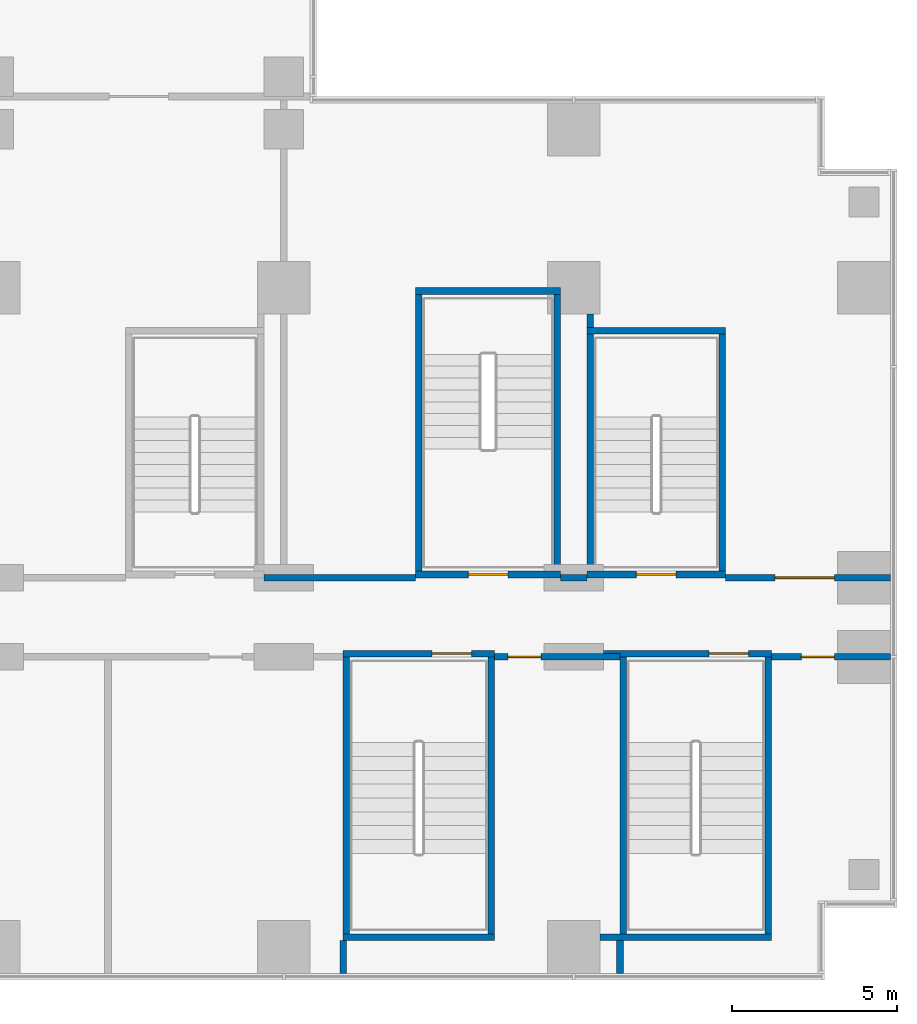
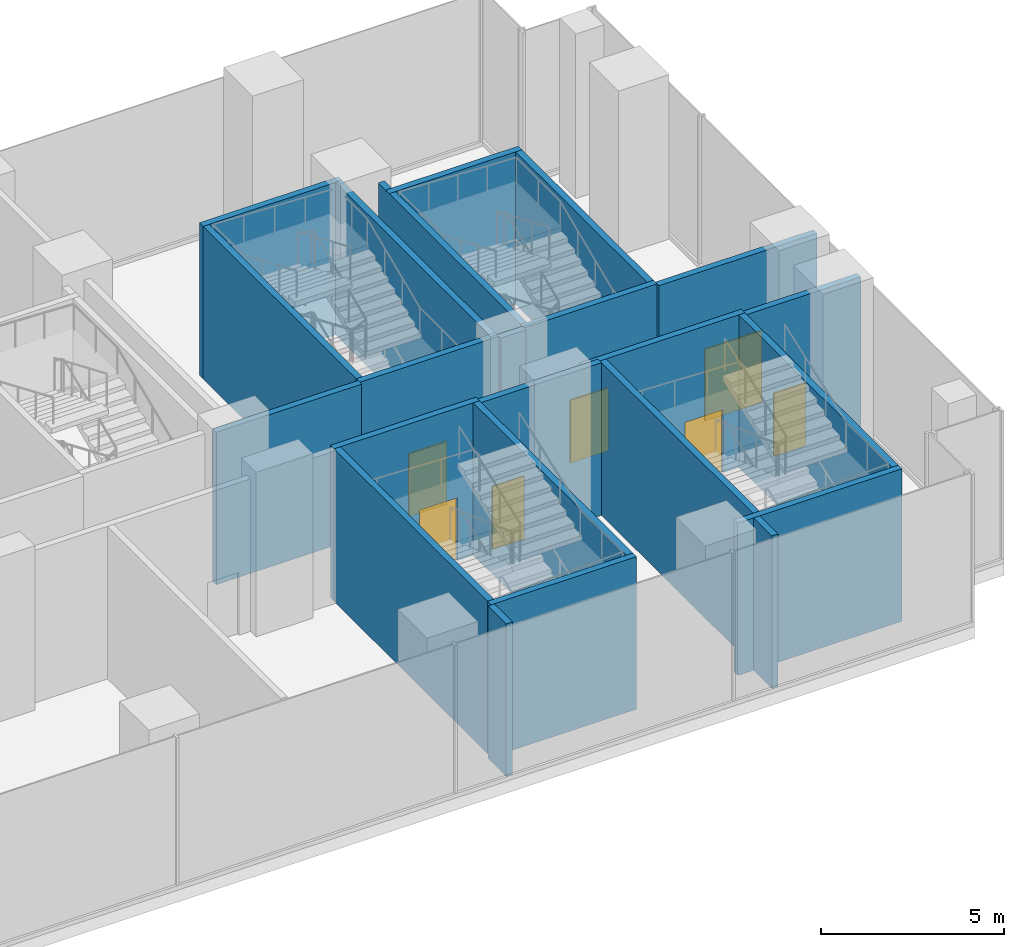
# One storey, part 21 of 30: 23 walls, 7 doors, 7 openings.
"""IFC4 building model written with IfcOpenShell, lengths in metres."""

from ifc_helpers import new_model, si_unit, direction, frame, frame_2d, origin, place, context, subcontext, project, spatial, rectangle, extrude, material, layer, layer_set, type_object, element, fill, save


model = new_model("IFC4")

# Units and contexts
model_context = context("Model", 3, precision=1e-05, world=origin(), true_north=direction((0.0, 1.0)))
body_context = subcontext(model_context, "Body", "Model", "MODEL_VIEW")
ifc_project = project(units=[si_unit("LENGTHUNIT", "METRE"), si_unit("AREAUNIT", "SQUARE_METRE"), si_unit("VOLUMEUNIT", "CUBIC_METRE"), si_unit("PLANEANGLEUNIT", "RADIAN"), si_unit("MASSUNIT", "GRAM", prefix="KILO")], contexts=[model_context])

# Site, building, storey
site_placement = place(None, origin())
site = spatial("IfcSite", under=ifc_project, at=site_placement, CompositionType="ELEMENT")
building_placement = place(site_placement, origin())
building = spatial("IfcBuilding", under=site, at=building_placement, Name="Kemantara Hotel Tower", CompositionType="ELEMENT")
storey_placement = place(building_placement, frame((0.0, 0.0, 18.0)))
storey = spatial("IfcBuildingStorey", under=building, at=storey_placement, Name="L03", CompositionType="ELEMENT", Elevation=18.0)

# Wall, opening, door
ifc_material_1 = material(Name="Concrete fc 40 MPa", Category="concrete")
ifc_layer_1 = layer(ifc_material_1, 0.199951171875)
ifc_layer_set_1 = layer_set([ifc_layer_1], Name="Concrete fc 40 MPa")
wall_type_1 = type_object("IfcWallType", Name="Concrete stair wall 200 mm", PredefinedType="SHEAR", material=ifc_layer_set_1)
wall_1_placement = place(storey_placement, frame((71.800048828125, 12.300048828125, 0.0), z_axis=(0.0, 0.0, 1.0), x_axis=(1.0, 0.0, 0.0)))
wall_1 = element("IfcWall", 1, at=wall_1_placement, inside=storey, type_object=wall_type_1, Name="Stair ST5 enclosure wall with door", PredefinedType="SHEAR", context=body_context, shape_type="SweptSolid", body=[
    extrude(rectangle(XDim=4.199951171875, YDim=0.199951171875, at=frame_2d((2.10009765625, 0.0))), origin(), (0.0, 0.0, 1.0), 5.10009765625),
])
opening_1_placement = place(wall_1_placement, frame((1.5, 0.0, 0.0)))
opening_1 = element("IfcOpeningElement", 2, at=opening_1_placement, cuts=wall_1, Name="Opening ST5-C", PredefinedType="OPENING", context=body_context, shape_type="SweptSolid", body=[
    extrude(rectangle(XDim=1.199951171875, YDim=2.10009765625, at=frame_2d((0.60009765625, 1.050048828125))), frame((0.0, 0.10986328125, 0.0), z_axis=(0.0, -1.0, 0.0), x_axis=(1.0, 0.0, 0.0)), (0.0, 0.0, 1.0), 0.219970703125),
])
ifc_material_2 = material(Name="Steel fire door", Category="steel")
door_type_1 = type_object("IfcDoorType", Name="Fire door FD90 1200 x 2100", OperationType="NOTDEFINED", PredefinedType="DOOR", material=ifc_material_2)
door_1_placement = place(opening_1_placement, origin())
door_1 = element("IfcDoor", 3, at=door_1_placement, inside=storey, type_object=door_type_1, Name="Stair ST5 door", OperationType="SINGLE_SWING_RIGHT", OverallHeight=2.10009765625, OverallWidth=1.199951171875, PredefinedType="DOOR", context=body_context, shape_type="SweptSolid", body=[
    extrude(rectangle(XDim=1.199951171875, YDim=2.10009765625, at=frame_2d((0.60009765625, 1.050048828125))), frame((0.0, 0.02490234375, 0.0), z_axis=(0.0, -1.0, 0.0), x_axis=(1.0, 0.0, 0.0)), (0.0, 0.0, 1.0), 0.050048828125),
])
fill(opening_1, door_1)

# Walls
wall_2_placement = place(storey_placement, frame((71.800048828125, 19.699951171875, 0.0), z_axis=(0.0, 0.0, 1.0), x_axis=(1.0, 0.0, 0.0)))
element("IfcWall", 4, at=wall_2_placement, inside=storey, type_object=wall_type_1, Name="Stair ST5 enclosure wall N", PredefinedType="SHEAR", context=body_context, shape_type="SweptSolid", body=[
    extrude(rectangle(XDim=4.199951171875, YDim=0.199951171875, at=frame_2d((2.10009765625, 0.0))), origin(), (0.0, 0.0, 1.0), 5.10009765625),
])
wall_3_placement = place(storey_placement, frame((71.89990234375, 12.39990234375, 0.0), z_axis=(0.0, 0.0, 1.0), x_axis=(0.0, 1.0, 0.0)))
element("IfcWall", 5, at=wall_3_placement, inside=storey, type_object=wall_type_1, Name="Stair ST5 enclosure wall W", PredefinedType="SHEAR", context=body_context, shape_type="SweptSolid", body=[
    extrude(rectangle(XDim=7.800048828125, YDim=0.199951171875, at=frame_2d((3.89990234375, 0.0))), origin(), (0.0, 0.0, 1.0), 5.10009765625),
])
wall_4_placement = place(storey_placement, frame((75.89990234375, 12.39990234375, 0.0), z_axis=(0.0, 0.0, 1.0), x_axis=(0.0, 1.0, 0.0)))
element("IfcWall", 6, at=wall_4_placement, inside=storey, type_object=wall_type_1, Name="Stair ST5 enclosure wall E", PredefinedType="SHEAR", context=body_context, shape_type="SweptSolid", body=[
    extrude(rectangle(XDim=7.2001953125, YDim=0.199951171875, at=frame_2d((3.60009765625, 0.0))), origin(), (0.0, 0.0, 1.0), 5.10009765625),
])

# Wall, opening, door
wall_5_placement = place(storey_placement, frame((66.60009765625, 12.300048828125, 0.0), z_axis=(0.0, 0.0, 1.0), x_axis=(1.0, 0.0, 0.0)))
wall_5 = element("IfcWall", 7, at=wall_5_placement, inside=storey, type_object=wall_type_1, Name="Stair PS1 enclosure wall with door", PredefinedType="SHEAR", context=body_context, shape_type="SweptSolid", body=[
    extrude(rectangle(XDim=4.39990234375, YDim=0.199951171875, at=frame_2d((2.199951171875, 0.0))), origin(), (0.0, 0.0, 1.0), 5.10009765625),
])
opening_2_placement = place(wall_5_placement, frame((1.60009765625, 0.0, 0.0)))
opening_2 = element("IfcOpeningElement", 8, at=opening_2_placement, cuts=wall_5, Name="Opening PS1-C", PredefinedType="OPENING", context=body_context, shape_type="SweptSolid", body=[
    extrude(rectangle(XDim=1.199951171875, YDim=2.10009765625, at=frame_2d((0.60009765625, 1.050048828125))), frame((0.0, 0.10986328125, 0.0), z_axis=(0.0, -1.0, 0.0), x_axis=(1.0, 0.0, 0.0)), (0.0, 0.0, 1.0), 0.219970703125),
])
door_2_placement = place(opening_2_placement, origin())
door_2 = element("IfcDoor", 9, at=door_2_placement, inside=storey, type_object=door_type_1, Name="Stair PS1 door", OperationType="SINGLE_SWING_RIGHT", OverallHeight=2.10009765625, OverallWidth=1.199951171875, PredefinedType="DOOR", context=body_context, shape_type="SweptSolid", body=[
    extrude(rectangle(XDim=1.199951171875, YDim=2.10009765625, at=frame_2d((0.60009765625, 1.050048828125))), frame((0.0, 0.02490234375, 0.0), z_axis=(0.0, -1.0, 0.0), x_axis=(1.0, 0.0, 0.0)), (0.0, 0.0, 1.0), 0.050048828125),
])
fill(opening_2, door_2)

# Walls
wall_6_placement = place(storey_placement, frame((66.60009765625, 20.89990234375, 0.0), z_axis=(0.0, 0.0, 1.0), x_axis=(1.0, 0.0, 0.0)))
element("IfcWall", 10, at=wall_6_placement, inside=storey, type_object=wall_type_1, Name="Stair PS1 enclosure wall N", PredefinedType="SHEAR", context=body_context, shape_type="SweptSolid", body=[
    extrude(rectangle(XDim=4.39990234375, YDim=0.199951171875, at=frame_2d((2.199951171875, 0.0))), origin(), (0.0, 0.0, 1.0), 5.10009765625),
])
for number, where, z_axis, x_axis, name in (
    (11, (66.699951171875, 12.39990234375, 0.0), (0.0, 0.0, 1.0), (0.0, 1.0, 0.0), "Stair PS1 enclosure wall W"),
    (12, (70.89990234375, 12.39990234375, 0.0), (0.0, 0.0, 1.0), (0.0, 1.0, 0.0), "Stair PS1 enclosure wall E"),
):
    element("IfcWall", number, at=place(storey_placement, frame(where, z_axis=z_axis, x_axis=x_axis)), inside=storey, type_object=wall_type_1, Name=name, PredefinedType="SHEAR", context=body_context, shape_type="SweptSolid", body=[
        extrude(rectangle(XDim=8.400146484375, YDim=0.199951171875, at=frame_2d((4.2001953125, 0.0))), origin(), (0.0, 0.0, 1.0), 5.10009765625),
    ])

# Wall, opening, door
wall_7_placement = place(storey_placement, frame((64.39990234375, 9.89990234375, 0.0), z_axis=(0.0, 0.0, 1.0), x_axis=(1.0, 0.0, 0.0)))
wall_7 = element("IfcWall", 13, at=wall_7_placement, inside=storey, type_object=wall_type_1, Name="Stair PS4 enclosure wall with door", PredefinedType="SHEAR", context=body_context, shape_type="SweptSolid", body=[
    extrude(rectangle(XDim=4.60009765625, YDim=0.199951171875, at=frame_2d((2.300048828125, 0.0))), origin(), (0.0, 0.0, 1.0), 5.10009765625),
])
opening_3_placement = place(wall_7_placement, frame((2.699951171875, 0.0, 0.0)))
opening_3 = element("IfcOpeningElement", 14, at=opening_3_placement, cuts=wall_7, Name="Opening PS4-C", PredefinedType="OPENING", context=body_context, shape_type="SweptSolid", body=[
    extrude(rectangle(XDim=1.199951171875, YDim=2.10009765625, at=frame_2d((0.60009765625, 1.050048828125))), frame((0.0, 0.10986328125, 0.0), z_axis=(0.0, -1.0, 0.0), x_axis=(1.0, 0.0, 0.0)), (0.0, 0.0, 1.0), 0.219970703125),
])
door_3_placement = place(opening_3_placement, frame((1.199951171875, 0.0, 0.0), z_axis=(0.0, 0.0, 1.0), x_axis=(-1.0, 0.0, 0.0)))
door_3 = element("IfcDoor", 15, at=door_3_placement, inside=storey, type_object=door_type_1, Name="Stair PS4 door", OperationType="SINGLE_SWING_LEFT", OverallHeight=2.10009765625, OverallWidth=1.199951171875, PredefinedType="DOOR", context=body_context, shape_type="SweptSolid", body=[
    extrude(rectangle(XDim=1.199951171875, YDim=2.10009765625, at=frame_2d((0.60009765625, 1.050048828125))), frame((0.0, 0.02490234375, 0.0), z_axis=(0.0, -1.0, 0.0), x_axis=(1.0, 0.0, 0.0)), (0.0, 0.0, 1.0), 0.050048828125),
])
fill(opening_3, door_3)

# Walls
wall_8_placement = place(storey_placement, frame((64.39990234375, 1.300048828125, 0.0), z_axis=(0.0, 0.0, 1.0), x_axis=(1.0, 0.0, 0.0)))
element("IfcWall", 16, at=wall_8_placement, inside=storey, type_object=wall_type_1, Name="Stair PS4 enclosure wall S", PredefinedType="SHEAR", context=body_context, shape_type="SweptSolid", body=[
    extrude(rectangle(XDim=4.60009765625, YDim=0.199951171875, at=frame_2d((2.300048828125, 0.0))), origin(), (0.0, 0.0, 1.0), 5.10009765625),
])
for number, where, z_axis, x_axis, name in (
    (17, (64.5, 1.39990234375, 0.0), (0.0, 0.0, 1.0), (0.0, 1.0, 0.0), "Stair PS4 enclosure wall W"),
    (18, (68.89990234375, 1.39990234375, 0.0), (0.0, 0.0, 1.0), (0.0, 1.0, 0.0), "Stair PS4 enclosure wall E"),
):
    element("IfcWall", number, at=place(storey_placement, frame(where, z_axis=z_axis, x_axis=x_axis)), inside=storey, type_object=wall_type_1, Name=name, PredefinedType="SHEAR", context=body_context, shape_type="SweptSolid", body=[
        extrude(rectangle(XDim=8.400146484375, YDim=0.199951171875, at=frame_2d((4.2001953125, 0.0))), origin(), (0.0, 0.0, 1.0), 5.10009765625),
    ])

# Wall, opening, door
wall_9_placement = place(storey_placement, frame((72.300048828125, 9.89990234375, 0.0), z_axis=(0.0, 0.0, 1.0), x_axis=(1.0, 0.0, 0.0)))
wall_9 = element("IfcWall", 19, at=wall_9_placement, inside=storey, type_object=wall_type_1, Name="Stair PS5 enclosure wall with door", PredefinedType="SHEAR", context=body_context, shape_type="SweptSolid", body=[
    extrude(rectangle(XDim=5.099853515625, YDim=0.199951171875, at=frame_2d((2.5498046875, 0.0))), origin(), (0.0, 0.0, 1.0), 5.10009765625),
])
opening_4_placement = place(wall_9_placement, frame((3.199951171875, 0.0, 0.0)))
opening_4 = element("IfcOpeningElement", 20, at=opening_4_placement, cuts=wall_9, Name="Opening PS5-C", PredefinedType="OPENING", context=body_context, shape_type="SweptSolid", body=[
    extrude(rectangle(XDim=1.199951171875, YDim=2.10009765625, at=frame_2d((0.60009765625, 1.050048828125))), frame((0.0, 0.10986328125, 0.0), z_axis=(0.0, -1.0, 0.0), x_axis=(1.0, 0.0, 0.0)), (0.0, 0.0, 1.0), 0.219970703125),
])
door_4_placement = place(opening_4_placement, frame((1.199951171875, 0.0, 0.0), z_axis=(0.0, 0.0, 1.0), x_axis=(-1.0, 0.0, 0.0)))
door_4 = element("IfcDoor", 21, at=door_4_placement, inside=storey, type_object=door_type_1, Name="Stair PS5 door", OperationType="SINGLE_SWING_LEFT", OverallHeight=2.10009765625, OverallWidth=1.199951171875, PredefinedType="DOOR", context=body_context, shape_type="SweptSolid", body=[
    extrude(rectangle(XDim=1.199951171875, YDim=2.10009765625, at=frame_2d((0.60009765625, 1.050048828125))), frame((0.0, 0.02490234375, 0.0), z_axis=(0.0, -1.0, 0.0), x_axis=(1.0, 0.0, 0.0)), (0.0, 0.0, 1.0), 0.050048828125),
])
fill(opening_4, door_4)

# Walls
wall_10_placement = place(storey_placement, frame((72.199951171875, 1.300048828125, 0.0), z_axis=(0.0, 0.0, 1.0), x_axis=(1.0, 0.0, 0.0)))
element("IfcWall", 22, at=wall_10_placement, inside=storey, type_object=wall_type_1, Name="Stair PS5 enclosure wall S", PredefinedType="SHEAR", context=body_context, shape_type="SweptSolid", body=[
    extrude(rectangle(XDim=5.199951171875, YDim=0.199951171875, at=frame_2d((2.60009765625, 0.0))), origin(), (0.0, 0.0, 1.0), 5.10009765625),
])
for number, where, z_axis, x_axis, name in (
    (23, (72.89990234375, 1.39990234375, 0.0), (0.0, 0.0, 1.0), (0.0, 1.0, 0.0), "Stair PS5 enclosure wall W"),
    (24, (77.300048828125, 1.39990234375, 0.0), (0.0, 0.0, 1.0), (0.0, 1.0, 0.0), "Stair PS5 enclosure wall E"),
):
    element("IfcWall", number, at=place(storey_placement, frame(where, z_axis=z_axis, x_axis=x_axis)), inside=storey, type_object=wall_type_1, Name=name, PredefinedType="SHEAR", context=body_context, shape_type="SweptSolid", body=[
        extrude(rectangle(XDim=8.400146484375, YDim=0.199951171875, at=frame_2d((4.2001953125, 0.0))), origin(), (0.0, 0.0, 1.0), 5.10009765625),
    ])

# Wall, opening, door
ifc_material_3 = material(Name="Fire-rated gypsum board partition")
ifc_layer_2 = layer(ifc_material_3, 0.199951171875)
ifc_layer_set_2 = layer_set([ifc_layer_2], Name="Fire-rated gypsum board partition")
wall_type_2 = type_object("IfcWallType", Name="FIRE-RATED GYPSUM PARTITION 200 EI 60", PredefinedType="PARTITIONING", material=ifc_layer_set_2)
wall_11_placement = place(storey_placement, frame((69.0, 9.800048828125, 0.0), z_axis=(0.0, 0.0, 1.0), x_axis=(1.0, 0.0, 0.0)))
wall_11 = element("IfcWall", 25, at=wall_11_placement, inside=storey, type_object=wall_type_2, Name="FIRE-RATED PARTITION", PredefinedType="PARTITIONING", context=body_context, shape_type="SweptSolid", body=[
    extrude(rectangle(XDim=3.800048828125, YDim=0.199951171875, at=frame_2d((1.89990234375, 0.0))), origin(), (0.0, 0.0, 1.0), 5.10009765625),
])
opening_5_placement = place(wall_11_placement, frame((0.39990234375, 0.0, 0.0)))
opening_5 = element("IfcOpeningElement", 26, at=opening_5_placement, cuts=wall_11, Name="Opening L03-B005", PredefinedType="OPENING", context=body_context, shape_type="SweptSolid", body=[
    extrude(rectangle(XDim=1.0, YDim=2.10009765625, at=frame_2d((0.5, 1.050048828125))), frame((0.0, 0.10986328125, 0.0), z_axis=(0.0, -1.0, 0.0), x_axis=(1.0, 0.0, 0.0)), (0.0, 0.0, 1.0), 0.219970703125),
])
ifc_material_4 = material(Name="Timber veneer door leaf", Category="wood")
door_type_2 = type_object("IfcDoorType", Name="SINGLE LEAF TIMBER DOOR 1000 X 2100", OperationType="SINGLE_SWING_LEFT", PredefinedType="DOOR", material=ifc_material_4)
door_5_placement = place(opening_5_placement, frame((1.0, 0.0, 0.0), z_axis=(0.0, 0.0, 1.0), x_axis=(-1.0, 0.0, 0.0)))
door_5 = element("IfcDoor", 27, at=door_5_placement, inside=storey, type_object=door_type_2, Name="SINGLE LEAF TIMBER DOOR", OperationType="SINGLE_SWING_RIGHT", OverallHeight=2.10009765625, OverallWidth=1.0, PredefinedType="DOOR", context=body_context, shape_type="SweptSolid", body=[
    extrude(rectangle(XDim=1.0, YDim=2.10009765625, at=frame_2d((0.5, 1.050048828125))), frame((0.0, 0.02490234375, 0.0), z_axis=(0.0, -1.0, 0.0), x_axis=(1.0, 0.0, 0.0)), (0.0, 0.0, 1.0), 0.050048828125),
])
fill(opening_5, door_5)

wall_12_placement = place(storey_placement, frame((77.39990234375, 9.800048828125, 0.0), z_axis=(0.0, 0.0, 1.0), x_axis=(1.0, 0.0, 0.0)))
wall_12 = element("IfcWall", 28, at=wall_12_placement, inside=storey, type_object=wall_type_2, Name="FIRE-RATED PARTITION", PredefinedType="PARTITIONING", context=body_context, shape_type="SweptSolid", body=[
    extrude(rectangle(XDim=3.60009765625, YDim=0.199951171875, at=frame_2d((1.800048828125, 0.0))), origin(), (0.0, 0.0, 1.0), 5.10009765625),
])
opening_6_placement = place(wall_12_placement, frame((0.89990234375, 0.0, 0.0)))
opening_6 = element("IfcOpeningElement", 29, at=opening_6_placement, cuts=wall_12, Name="Opening L03-B006", PredefinedType="OPENING", context=body_context, shape_type="SweptSolid", body=[
    extrude(rectangle(XDim=1.0, YDim=2.10009765625, at=frame_2d((0.5, 1.050048828125))), frame((0.0, 0.10986328125, 0.0), z_axis=(0.0, -1.0, 0.0), x_axis=(1.0, 0.0, 0.0)), (0.0, 0.0, 1.0), 0.219970703125),
])
door_6_placement = place(opening_6_placement, frame((1.0, 0.0, 0.0), z_axis=(0.0, 0.0, 1.0), x_axis=(-1.0, 0.0, 0.0)))
door_6 = element("IfcDoor", 30, at=door_6_placement, inside=storey, type_object=door_type_2, Name="SINGLE LEAF TIMBER DOOR", OperationType="SINGLE_SWING_RIGHT", OverallHeight=2.10009765625, OverallWidth=1.0, PredefinedType="DOOR", context=body_context, shape_type="SweptSolid", body=[
    extrude(rectangle(XDim=1.0, YDim=2.10009765625, at=frame_2d((0.5, 1.050048828125))), frame((0.0, 0.02490234375, 0.0), z_axis=(0.0, -1.0, 0.0), x_axis=(1.0, 0.0, 0.0)), (0.0, 0.0, 1.0), 0.050048828125),
])
fill(opening_6, door_6)

# Walls
wall_13_placement = place(storey_placement, frame((62.0, 12.199951171875, 0.0), z_axis=(0.0, 0.0, 1.0), x_axis=(1.0, 0.0, 0.0)))
element("IfcWall", 31, at=wall_13_placement, inside=storey, type_object=wall_type_2, Name="FIRE-RATED PARTITION", PredefinedType="PARTITIONING", context=body_context, shape_type="SweptSolid", body=[
    extrude(rectangle(XDim=4.60009765625, YDim=0.199951171875, at=frame_2d((2.300048828125, 0.0))), origin(), (0.0, 0.0, 1.0), 5.10009765625),
])
wall_14_placement = place(storey_placement, frame((71.0, 12.199951171875, 0.0), z_axis=(0.0, 0.0, 1.0), x_axis=(1.0, 0.0, 0.0)))
element("IfcWall", 32, at=wall_14_placement, inside=storey, type_object=wall_type_2, Name="FIRE-RATED PARTITION", PredefinedType="PARTITIONING", context=body_context, shape_type="SweptSolid", body=[
    extrude(rectangle(XDim=0.800048828125, YDim=0.199951171875, at=frame_2d((0.39990234375, 0.0))), origin(), (0.0, 0.0, 1.0), 5.10009765625),
])

# Wall, opening, door
wall_15_placement = place(storey_placement, frame((76.0, 12.199951171875, 0.0), z_axis=(0.0, 0.0, 1.0), x_axis=(1.0, 0.0, 0.0)))
wall_15 = element("IfcWall", 33, at=wall_15_placement, inside=storey, type_object=wall_type_2, Name="FIRE-RATED PARTITION", PredefinedType="PARTITIONING", context=body_context, shape_type="SweptSolid", body=[
    extrude(rectangle(XDim=5.0, YDim=0.199951171875, at=frame_2d((2.5, 0.0))), origin(), (0.0, 0.0, 1.0), 5.10009765625),
])
opening_7_placement = place(wall_15_placement, frame((1.5, 0.0, 0.0)))
opening_7 = element("IfcOpeningElement", 34, at=opening_7_placement, cuts=wall_15, Name="Opening L03-B026", PredefinedType="OPENING", context=body_context, shape_type="SweptSolid", body=[
    extrude(rectangle(XDim=1.800048828125, YDim=2.39990234375, at=frame_2d((0.89990234375, 1.199951171875))), frame((0.0, 0.10986328125, 0.0), z_axis=(0.0, -1.0, 0.0), x_axis=(1.0, 0.0, 0.0)), (0.0, 0.0, 1.0), 0.219970703125),
])
ifc_material_5 = material(Name="Toughened glass door leaf", Category="glass")
door_type_3 = type_object("IfcDoorType", Name="GLAZED DOUBLE DOOR 1800 X 2400", OperationType="DOUBLE_DOOR_SINGLE_SWING", PredefinedType="DOOR", material=ifc_material_5)
door_7_placement = place(opening_7_placement, frame((1.800048828125, 0.0, 0.0), z_axis=(0.0, 0.0, 1.0), x_axis=(-1.0, 0.0, 0.0)))
door_7 = element("IfcDoor", 35, at=door_7_placement, inside=storey, type_object=door_type_3, Name="GLAZED DOUBLE DOOR", OperationType="DOUBLE_DOOR_SINGLE_SWING", OverallHeight=2.39990234375, OverallWidth=1.800048828125, PredefinedType="DOOR", context=body_context, shape_type="SweptSolid", body=[
    extrude(rectangle(XDim=1.800048828125, YDim=2.39990234375, at=frame_2d((0.89990234375, 1.199951171875))), frame((0.0, 0.02490234375, 0.0), z_axis=(0.0, -1.0, 0.0), x_axis=(1.0, 0.0, 0.0)), (0.0, 0.0, 1.0), 0.050048828125),
])
fill(opening_7, door_7)

# Walls
ifc_material_6 = material(Name="Gypsum board partition")
ifc_layer_3 = layer(ifc_material_6, 0.199951171875)
ifc_layer_set_3 = layer_set([ifc_layer_3], Name="Gypsum board partition")
wall_type_3 = type_object("IfcWallType", Name="GYPSUM BOARD PARTITION 200", PredefinedType="PARTITIONING", material=ifc_layer_set_3)
for number, where, z_axis, x_axis, name in (
    (36, (64.39990234375, 0.199951171875, 0.0), (0.0, 0.0, 1.0), (0.0, 1.0, 0.0), "PARTITION"),
    (37, (72.800048828125, 0.199951171875, 0.0), (0.0, 0.0, 1.0), (0.0, 1.0, 0.0), "PARTITION"),
):
    element("IfcWall", number, at=place(storey_placement, frame(where, z_axis=z_axis, x_axis=x_axis)), inside=storey, type_object=wall_type_3, Name=name, PredefinedType="PARTITIONING", context=body_context, shape_type="SweptSolid", body=[
        extrude(rectangle(XDim=1.0, YDim=0.199951171875, at=frame_2d((0.5, 0.0))), origin(), (0.0, 0.0, 1.0), 5.10009765625),
    ])

save(model, "model.ifc")
